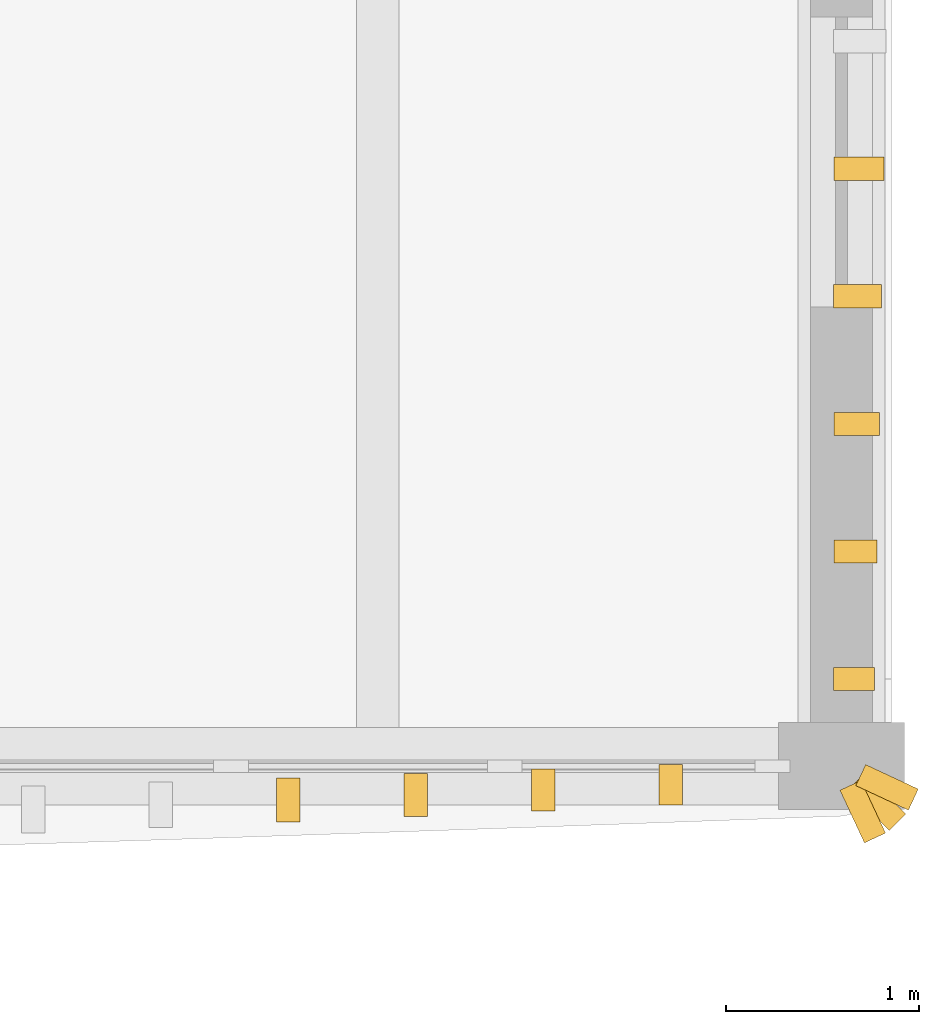
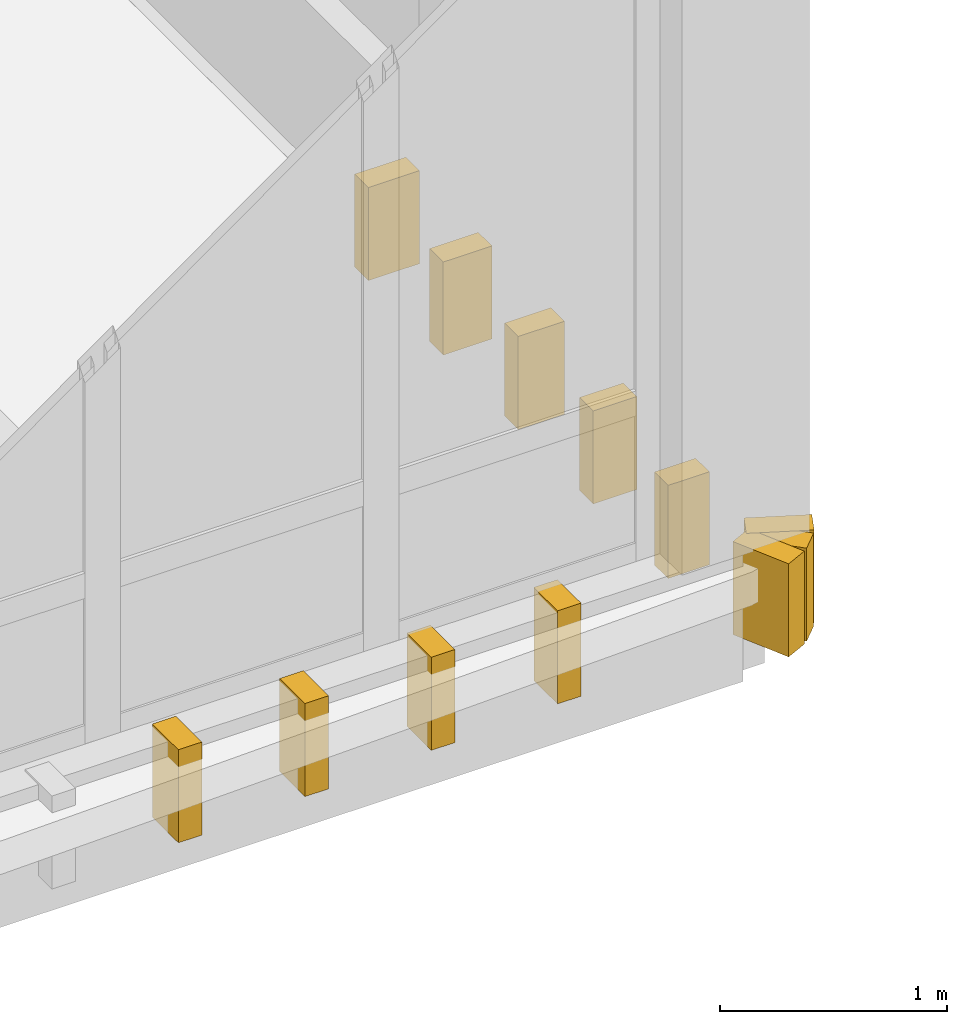
# One storey, part 48 of 50: 12 coverings.
"""IFC4 building model written with IfcOpenShell, lengths in metres."""

from ifc_helpers import new_model, si_unit, direction, frame, origin, origin_2d, place, context, subcontext, project, spatial, rectangle, extrude, material, layer, layer_set, type_object, element, save


model = new_model("IFC4")

# Units and contexts
model_context = context("Model", 3, precision=1e-05, world=origin(), true_north=direction((0.0, 1.0)))
body_context = subcontext(model_context, "Body", "Model", "MODEL_VIEW")
ifc_project = project(units=[si_unit("LENGTHUNIT", "METRE"), si_unit("AREAUNIT", "SQUARE_METRE"), si_unit("VOLUMEUNIT", "CUBIC_METRE"), si_unit("PLANEANGLEUNIT", "RADIAN"), si_unit("MASSUNIT", "GRAM", prefix="KILO")], contexts=[model_context])

# Site, building, storey
site_placement = place(None, origin())
site = spatial("IfcSite", under=ifc_project, at=site_placement, CompositionType="ELEMENT")
building_placement = place(site_placement, origin())
building = spatial("IfcBuilding", under=site, at=building_placement, Name="Dornvale Research Institute", CompositionType="ELEMENT")
storey_placement = place(building_placement, frame((0.0, 0.0, 19.800048828125)))
storey = spatial("IfcBuildingStorey", under=building, at=storey_placement, Name="L04", CompositionType="ELEMENT", Elevation=19.800048828125)

# Coverings
ifc_material = material(Name="Polychrome Glazed Terracotta Visor Rib Ceramic", Category="masonry")
ifc_layer = layer(ifc_material, 0.1201171875)
ifc_layer_set = layer_set([ifc_layer], Name="Polychrome Glazed Terracotta Visor Rib Ceramic")
covering_type = type_object("IfcCoveringType", Name="Covering_VisorBlade_Low", PredefinedType="CLADDING", material=ifc_layer_set)
covering_1_placement = place(storey_placement, frame((175.338134765625, 92.22509765625, -0.489990234375), z_axis=(0.0, 0.0, 1.0), x_axis=(0.0, 1.0, 0.0)))
element("IfcCovering", 1, at=covering_1_placement, inside=storey, type_object=covering_type, Name="L04 V4 canted glazed terracotta visor blade #2618", PredefinedType="CLADDING", context=body_context, shape_type="SweptSolid", body=[
    extrude(rectangle(XDim=0.22900390625, YDim=0.1201171875, at=origin_2d()), origin(), (0.0, 0.0, 1.0), 0.5),
])
covering_2_placement = place(storey_placement, frame((175.997802734375, 92.25048828125, -0.489990234375), z_axis=(0.0, 0.0, 1.0), x_axis=(0.0, 1.0, 0.0)))
element("IfcCovering", 2, at=covering_2_placement, inside=storey, type_object=covering_type, Name="L04 V4 canted glazed terracotta visor blade #2619", PredefinedType="CLADDING", context=body_context, shape_type="SweptSolid", body=[
    extrude(rectangle(XDim=0.222900390625, YDim=0.1201171875, at=origin_2d()), origin(), (0.0, 0.0, 1.0), 0.5),
])
covering_3_placement = place(storey_placement, frame((176.657470703125, 92.276611328125, -0.489990234375), z_axis=(0.0, 0.0, 1.0), x_axis=(0.0, 1.0, 0.0)))
element("IfcCovering", 3, at=covering_3_placement, inside=storey, type_object=covering_type, Name="L04 V4 canted glazed terracotta visor blade #2620", PredefinedType="CLADDING", context=body_context, shape_type="SweptSolid", body=[
    extrude(rectangle(XDim=0.216064453125, YDim=0.1201171875, at=origin_2d()), origin(), (0.0, 0.0, 1.0), 0.5),
])
covering_4_placement = place(storey_placement, frame((177.31689453125, 92.3037109375, -0.489990234375), z_axis=(0.0, 0.0, 1.0), x_axis=(0.0, 1.0, 0.0)))
element("IfcCovering", 4, at=covering_4_placement, inside=storey, type_object=covering_type, Name="L04 V4 canted glazed terracotta visor blade #2621", PredefinedType="CLADDING", context=body_context, shape_type="SweptSolid", body=[
    extrude(rectangle(XDim=0.208984375, YDim=0.1201171875, at=origin_2d()), origin(), (0.0, 0.0, 1.0), 0.5),
])
covering_5_placement = place(storey_placement, frame((178.264892578125, 92.85009765625, -0.489990234375), z_axis=(0.0, 0.0, 1.0), x_axis=(1.0, 0.0, 0.0)))
element("IfcCovering", 5, at=covering_5_placement, inside=storey, type_object=covering_type, Name="L04 V4 canted glazed terracotta visor blade #2711", PredefinedType="CLADDING", context=body_context, shape_type="SweptSolid", body=[
    extrude(rectangle(XDim=0.2099609375, YDim=0.1201171875, at=origin_2d()), origin(), (0.0, 0.0, 1.0), 0.5),
])
covering_6_placement = place(storey_placement, frame((178.271484375, 93.510009765625, -0.489990234375), z_axis=(0.0, 0.0, 1.0), x_axis=(1.0, 0.0, 0.0)))
element("IfcCovering", 6, at=covering_6_placement, inside=storey, type_object=covering_type, Name="L04 V4 canted glazed terracotta visor blade #2712", PredefinedType="CLADDING", context=body_context, shape_type="SweptSolid", body=[
    extrude(rectangle(XDim=0.222900390625, YDim=0.1201171875, at=origin_2d()), origin(), (0.0, 0.0, 1.0), 0.5),
])
covering_7_placement = place(storey_placement, frame((178.278076171875, 94.169921875, -0.489990234375), z_axis=(0.0, 0.0, 1.0), x_axis=(1.0, 0.0, 0.0)))
element("IfcCovering", 7, at=covering_7_placement, inside=storey, type_object=covering_type, Name="L04 V4 canted glazed terracotta visor blade #2713", PredefinedType="CLADDING", context=body_context, shape_type="SweptSolid", body=[
    extrude(rectangle(XDim=0.236083984375, YDim=0.1201171875, at=origin_2d()), origin(), (0.0, 0.0, 1.0), 0.5),
])
covering_8_placement = place(storey_placement, frame((178.283935546875, 94.830078125, -0.489990234375), z_axis=(0.0, 0.0, 1.0), x_axis=(1.0, 0.0, 0.0)))
element("IfcCovering", 8, at=covering_8_placement, inside=storey, type_object=covering_type, Name="L04 V4 canted glazed terracotta visor blade #2714", PredefinedType="CLADDING", context=body_context, shape_type="SweptSolid", body=[
    extrude(rectangle(XDim=0.248046875, YDim=0.1201171875, at=origin_2d()), origin(), (0.0, 0.0, 1.0), 0.5),
])
covering_9_placement = place(storey_placement, frame((178.2900390625, 95.489990234375, -0.489990234375), z_axis=(0.0, 0.0, 1.0), x_axis=(1.0, 0.0, 0.0)))
element("IfcCovering", 9, at=covering_9_placement, inside=storey, type_object=covering_type, Name="L04 V4 canted glazed terracotta visor blade #2715", PredefinedType="CLADDING", context=body_context, shape_type="SweptSolid", body=[
    extrude(rectangle(XDim=0.260009765625, YDim=0.1201171875, at=origin_2d()), origin(), (0.0, 0.0, 1.0), 0.5),
])
for number, where, z_axis, x_axis, name in (
    (10, (178.309814453125, 92.164306640625, -0.489990234375), (0.0, 0.0, 1.0), (0.422618261741, -0.906307787037, 0.0), "L04 V4 corner-wrapping visor blade #2802"),
    (11, (178.3837890625, 92.21630859375, -0.489990234375), (0.0, 0.0, 1.0), (0.707106781187, -0.707106781187, 0.0), "L04 V4 corner-wrapping visor blade #2803"),
    (12, (178.435546875, 92.2900390625, -0.489990234375), (0.0, 0.0, 1.0), (0.906307787037, -0.422618261741, 0.0), "L04 V4 corner-wrapping visor blade #2804"),
):
    element("IfcCovering", number, at=place(storey_placement, frame(where, z_axis=z_axis, x_axis=x_axis)), inside=storey, type_object=covering_type, Name=name, PredefinedType="CLADDING", context=body_context, shape_type="SweptSolid", body=[
        extrude(rectangle(XDim=0.300048828125, YDim=0.1201171875, at=origin_2d()), origin(), (0.0, 0.0, 1.0), 0.5),
    ])

save(model, "model.ifc")
